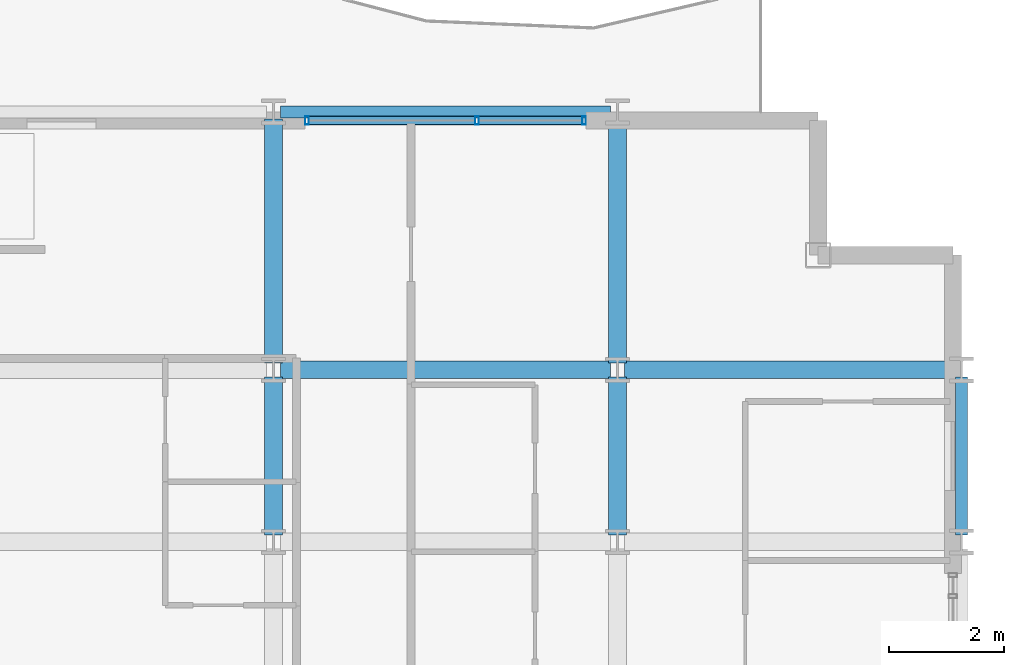
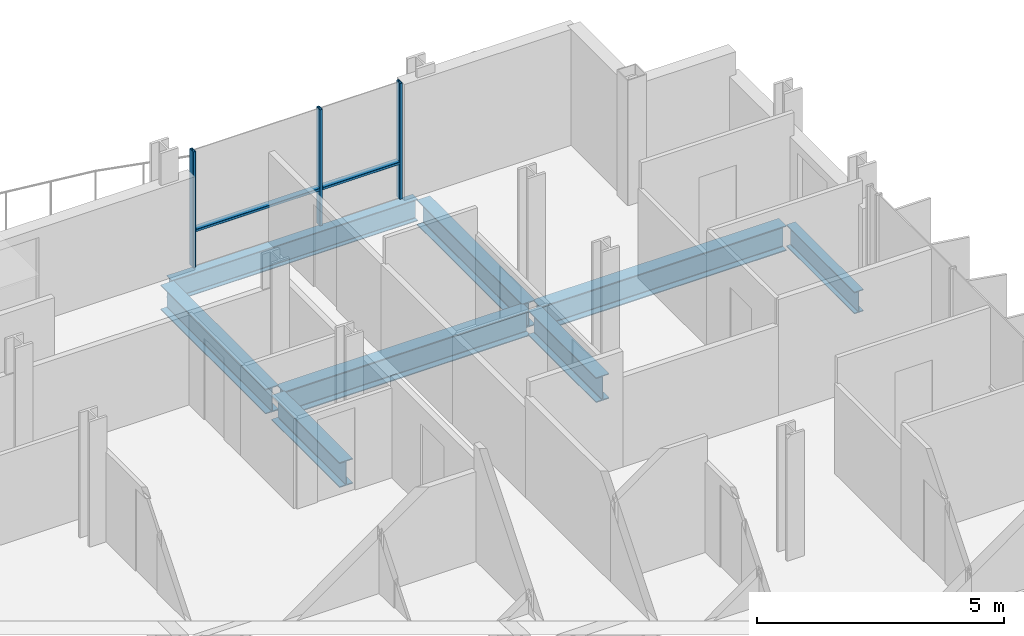
# One storey, part 20 of 39: 8 beams, 5 members, 1 element without a shape of its own.
"""IFC4 building model written with IfcOpenShell, lengths in metres."""

from ifc_helpers import new_model, si_unit, direction, frame, origin, origin_2d, place, context, subcontext, project, spatial, hollow_rectangle, i_section, extrude, material, layer, layer_set, material_profile, profile_set, type_object, element, aggregate, save


model = new_model("IFC4")

# Units and contexts
model_context = context("Model", 3, precision=1e-05, world=origin(), true_north=direction((0.0, 1.0)))
body_context = subcontext(model_context, "Body", "Model", "MODEL_VIEW")
ifc_project = project(units=[si_unit("LENGTHUNIT", "METRE"), si_unit("AREAUNIT", "SQUARE_METRE"), si_unit("VOLUMEUNIT", "CUBIC_METRE"), si_unit("PLANEANGLEUNIT", "RADIAN"), si_unit("MASSUNIT", "GRAM", prefix="KILO")], contexts=[model_context])

# Site, building, storey
site_placement = place(None, origin())
site = spatial("IfcSite", under=ifc_project, at=site_placement, CompositionType="ELEMENT")
building_placement = place(site_placement, origin())
building = spatial("IfcBuilding", under=site, at=building_placement, Name="Brevholm Reach", CompositionType="ELEMENT")
storey_placement = place(building_placement, frame((0.0, 0.0, 90.0)))
storey = spatial("IfcBuildingStorey", under=building, at=storey_placement, Name="L26", CompositionType="ELEMENT", Elevation=90.0)

# Beams
ifc_material_1 = material(Name="Structural Steel S355J2", Category="steel")
ifc_material_profile_1 = material_profile(ifc_material_1, i_section(OverallWidth=0.210693359375, OverallDepth=0.53955078125, WebThickness=0.01171875, FlangeThickness=0.018798828125, FilletRadius=0.0126953125, at=origin_2d()), Name="UKB 533x210x109")
ifc_profile_set_1 = profile_set([ifc_material_profile_1], Name="Structural Steel S355J2")
beam_type_1 = type_object("IfcBeamType", Name="BM-SP539", PredefinedType="SPANDREL", material=ifc_profile_set_1)
beam_1_placement = place(storey_placement, frame((48.1201171875, 31.0, -0.499755859375), z_axis=(1.0, 0.0, 0.0), x_axis=(0.0, 1.0, 0.0)))
element("IfcBeam", 1, at=beam_1_placement, inside=storey, type_object=beam_type_1, Name="L26 SP-01B Framing Beam", PredefinedType="SPANDREL", context=body_context, shape_type="SweptSolid", body=[
    extrude(i_section(OverallWidth=0.210693359375, OverallDepth=0.53955078125, WebThickness=0.01171875, FlangeThickness=0.018798828125, FilletRadius=0.0126953125, at=origin_2d()), origin(), (0.0, 0.0, 1.0), 5.759765625),
])
beam_2_placement = place(storey_placement, frame((60.0, 23.6201171875, -0.499755859375), z_axis=(0.0, 1.0, 0.0), x_axis=(-1.0, 0.0, 0.0)))
element("IfcBeam", 2, at=beam_2_placement, inside=storey, type_object=beam_type_1, Name="L26 SP-01B Framing Beam", PredefinedType="SPANDREL", context=body_context, shape_type="SweptSolid", body=[
    extrude(i_section(OverallWidth=0.210693359375, OverallDepth=0.53955078125, WebThickness=0.01171875, FlangeThickness=0.018798828125, FilletRadius=0.0126953125, at=origin_2d()), origin(), (0.0, 0.0, 1.0), 2.759765625),
])
ifc_material_2 = material(Name="Structural Steel S355J2", Category="steel")
ifc_material_profile_2 = material_profile(ifc_material_2, i_section(OverallWidth=0.30712890625, OverallDepth=0.6201171875, WebThickness=0.01416015625, FlangeThickness=0.023681640625, FilletRadius=0.0166015625, at=origin_2d()), Name="UKB 610x305x179")
ifc_profile_set_2 = profile_set([ifc_material_profile_2], Name="Structural Steel S355J2")
beam_type_2 = type_object("IfcBeamType", Name="BM-UKB610H", PredefinedType="USERDEFINED", material=ifc_profile_set_2)
for number, where, z_axis, x_axis, name in (
    (3, (48.1201171875, 26.5, -0.5400390625), (1.0, 0.0, 0.0), (0.0, 1.0, 0.0), "L26 G-06 Framing Beam"),
    (4, (54.1201171875, 26.5, -0.5400390625), (1.0, 0.0, 0.0), (0.0, 1.0, 0.0), "L26 G-06 Framing Beam"),
):
    element("IfcBeam", number, at=place(storey_placement, frame(where, z_axis=z_axis, x_axis=x_axis)), inside=storey, type_object=beam_type_2, Name=name, ObjectType="GIRDER", PredefinedType="USERDEFINED", context=body_context, shape_type="SweptSolid", body=[
        extrude(i_section(OverallWidth=0.30712890625, OverallDepth=0.6201171875, WebThickness=0.01416015625, FlangeThickness=0.023681640625, FilletRadius=0.0166015625, at=origin_2d()), origin(), (0.0, 0.0, 1.0), 5.759765625),
    ])
beam_3_placement = place(storey_placement, frame((48.0, 23.6201171875, -0.5400390625), z_axis=(0.0, 1.0, 0.0), x_axis=(-1.0, 0.0, 0.0)))
element("IfcBeam", 5, at=beam_3_placement, inside=storey, type_object=beam_type_2, Name="L26 G-06 Framing Beam", ObjectType="GIRDER", PredefinedType="USERDEFINED", context=body_context, shape_type="SweptSolid", body=[
    extrude(i_section(OverallWidth=0.30712890625, OverallDepth=0.6201171875, WebThickness=0.01416015625, FlangeThickness=0.023681640625, FilletRadius=0.0166015625, at=origin_2d()), origin(), (0.0, 0.0, 1.0), 2.759765625),
])
beam_4_placement = place(storey_placement, frame((48.0, 26.6201171875, -0.5400390625), z_axis=(0.0, 1.0, 0.0), x_axis=(-1.0, 0.0, 0.0)))
element("IfcBeam", 6, at=beam_4_placement, inside=storey, type_object=beam_type_2, Name="L26 G-06 Framing Beam", ObjectType="GIRDER", PredefinedType="USERDEFINED", context=body_context, shape_type="SweptSolid", body=[
    extrude(i_section(OverallWidth=0.30712890625, OverallDepth=0.6201171875, WebThickness=0.01416015625, FlangeThickness=0.023681640625, FilletRadius=0.0166015625, at=origin_2d()), origin(), (0.0, 0.0, 1.0), 4.259765625),
])
beam_5_placement = place(storey_placement, frame((54.0, 23.6201171875, -0.5400390625), z_axis=(0.0, 1.0, 0.0), x_axis=(-1.0, 0.0, 0.0)))
element("IfcBeam", 7, at=beam_5_placement, inside=storey, type_object=beam_type_2, Name="L26 G-06 Framing Beam", ObjectType="GIRDER", PredefinedType="USERDEFINED", context=body_context, shape_type="SweptSolid", body=[
    extrude(i_section(OverallWidth=0.30712890625, OverallDepth=0.6201171875, WebThickness=0.01416015625, FlangeThickness=0.023681640625, FilletRadius=0.0166015625, at=origin_2d()), origin(), (0.0, 0.0, 1.0), 2.759765625),
])
beam_6_placement = place(storey_placement, frame((54.0, 26.6201171875, -0.5400390625), z_axis=(0.0, 1.0, 0.0), x_axis=(-1.0, 0.0, 0.0)))
element("IfcBeam", 8, at=beam_6_placement, inside=storey, type_object=beam_type_2, Name="L26 G-06 Framing Beam", ObjectType="GIRDER", PredefinedType="USERDEFINED", context=body_context, shape_type="SweptSolid", body=[
    extrude(i_section(OverallWidth=0.30712890625, OverallDepth=0.6201171875, WebThickness=0.01416015625, FlangeThickness=0.023681640625, FilletRadius=0.0166015625, at=origin_2d()), origin(), (0.0, 0.0, 1.0), 4.259765625),
])

# Curtain wall, members
ifc_material_3 = material(Name="Dark Anodised Aluminium 6063-T6 and Solar-Control Glass", Category="aluminium")
ifc_layer = layer(ifc_material_3, 0.14990234375)
ifc_layer_set = layer_set([ifc_layer], Name="Dark Anodised Aluminium 6063-T6 and Solar-Control Glass")
curtain_wall_type = type_object("IfcCurtainWallType", Name="CW-01", PredefinedType="NOTDEFINED", material=ifc_layer_set)
curtain_wall_placement = place(storey_placement, origin())
curtain_wall = element("IfcCurtainWall", 9, at=curtain_wall_placement, inside=storey, type_object=curtain_wall_type, Name="L26 Curtain Wall CW-01", PredefinedType="NOTDEFINED")
ifc_material_4 = material(Name="Dark Anodised Aluminium 6063-T6", Category="aluminium")
ifc_material_profile_3 = material_profile(ifc_material_4, hollow_rectangle(XDim=0.06494140625, YDim=0.14990234375, WallThickness=0.0048828125, InnerFilletRadius=0.0048828125, OuterFilletRadius=0.010009765625, at=origin_2d()), Name="RHS 150x65x5")
ifc_profile_set_3 = profile_set([ifc_material_profile_3], Name="Dark Anodised Aluminium 6063-T6")
member_type_1 = type_object("IfcMemberType", Name="CWM-150", PredefinedType="MULLION", material=ifc_profile_set_3)
member_1_placement = place(storey_placement, frame((48.58251953125, 30.85009765625, 0.0), z_axis=(0.0, 0.0, 1.0), x_axis=(1.0, 0.0, 0.0)))
member_1 = element("IfcMember", 10, at=member_1_placement, type_object=member_type_1, Name="CM-150 Mullion 1", PredefinedType="MULLION", context=body_context, shape_type="SweptSolid", body=[
    extrude(hollow_rectangle(XDim=0.06494140625, YDim=0.14990234375, WallThickness=0.0048828125, InnerFilletRadius=0.0048828125, OuterFilletRadius=0.010009765625, at=origin_2d()), origin(), (0.0, 0.0, 1.0), 2.8701171875),
])
member_2_placement = place(storey_placement, frame((51.550048828125, 30.85009765625, 0.0), z_axis=(0.0, 0.0, 1.0), x_axis=(1.0, 0.0, 0.0)))
member_2 = element("IfcMember", 11, at=member_2_placement, type_object=member_type_1, Name="CM-150 Mullion 2", PredefinedType="MULLION", context=body_context, shape_type="SweptSolid", body=[
    extrude(hollow_rectangle(XDim=0.06494140625, YDim=0.14990234375, WallThickness=0.0048828125, InnerFilletRadius=0.0048828125, OuterFilletRadius=0.010009765625, at=origin_2d()), origin(), (0.0, 0.0, 1.0), 2.8701171875),
])
member_3_placement = place(storey_placement, frame((53.41748046875, 30.85009765625, 0.0), z_axis=(0.0, 0.0, 1.0), x_axis=(1.0, 0.0, 0.0)))
member_3 = element("IfcMember", 12, at=member_3_placement, type_object=member_type_1, Name="CM-150 Mullion 3", PredefinedType="MULLION", context=body_context, shape_type="SweptSolid", body=[
    extrude(hollow_rectangle(XDim=0.06494140625, YDim=0.14990234375, WallThickness=0.0048828125, InnerFilletRadius=0.0048828125, OuterFilletRadius=0.010009765625, at=origin_2d()), origin(), (0.0, 0.0, 1.0), 2.8701171875),
])
ifc_material_5 = material(Name="Dark Anodised Aluminium 6063-T6", Category="aluminium")
ifc_material_profile_4 = material_profile(ifc_material_5, hollow_rectangle(XDim=0.06494140625, YDim=0.14990234375, WallThickness=0.0048828125, InnerFilletRadius=0.0048828125, OuterFilletRadius=0.010009765625, at=origin_2d()), Name="RHS 150x65x5")
ifc_profile_set_4 = profile_set([ifc_material_profile_4], Name="Dark Anodised Aluminium 6063-T6")
member_type_2 = type_object("IfcMemberType", Name="CWT-150", PredefinedType="NOTDEFINED", material=ifc_profile_set_4)
member_4_placement = place(storey_placement, frame((48.614990234375, 30.85009765625, 0.89990234375), z_axis=(1.0, 0.0, 0.0), x_axis=(0.0, 0.0, 1.0)))
member_4 = element("IfcMember", 13, at=member_4_placement, type_object=member_type_2, Name="CT-150 Transom 1.1", ObjectType="TRANSOM", PredefinedType="USERDEFINED", context=body_context, shape_type="SweptSolid", body=[
    extrude(hollow_rectangle(XDim=0.06494140625, YDim=0.14990234375, WallThickness=0.0048828125, InnerFilletRadius=0.0048828125, OuterFilletRadius=0.010009765625, at=origin_2d()), origin(), (0.0, 0.0, 1.0), 2.902587890625),
])
member_5_placement = place(storey_placement, frame((51.58251953125, 30.85009765625, 0.89990234375), z_axis=(1.0, 0.0, 0.0), x_axis=(0.0, 0.0, 1.0)))
member_5 = element("IfcMember", 14, at=member_5_placement, type_object=member_type_2, Name="CT-150 Transom 2.1", ObjectType="TRANSOM", PredefinedType="USERDEFINED", context=body_context, shape_type="SweptSolid", body=[
    extrude(hollow_rectangle(XDim=0.06494140625, YDim=0.14990234375, WallThickness=0.0048828125, InnerFilletRadius=0.0048828125, OuterFilletRadius=0.010009765625, at=origin_2d()), origin(), (0.0, 0.0, 1.0), 1.802490234375),
])
aggregate(curtain_wall, [member_1, member_2, member_3, member_4, member_5])

save(model, "model.ifc")
